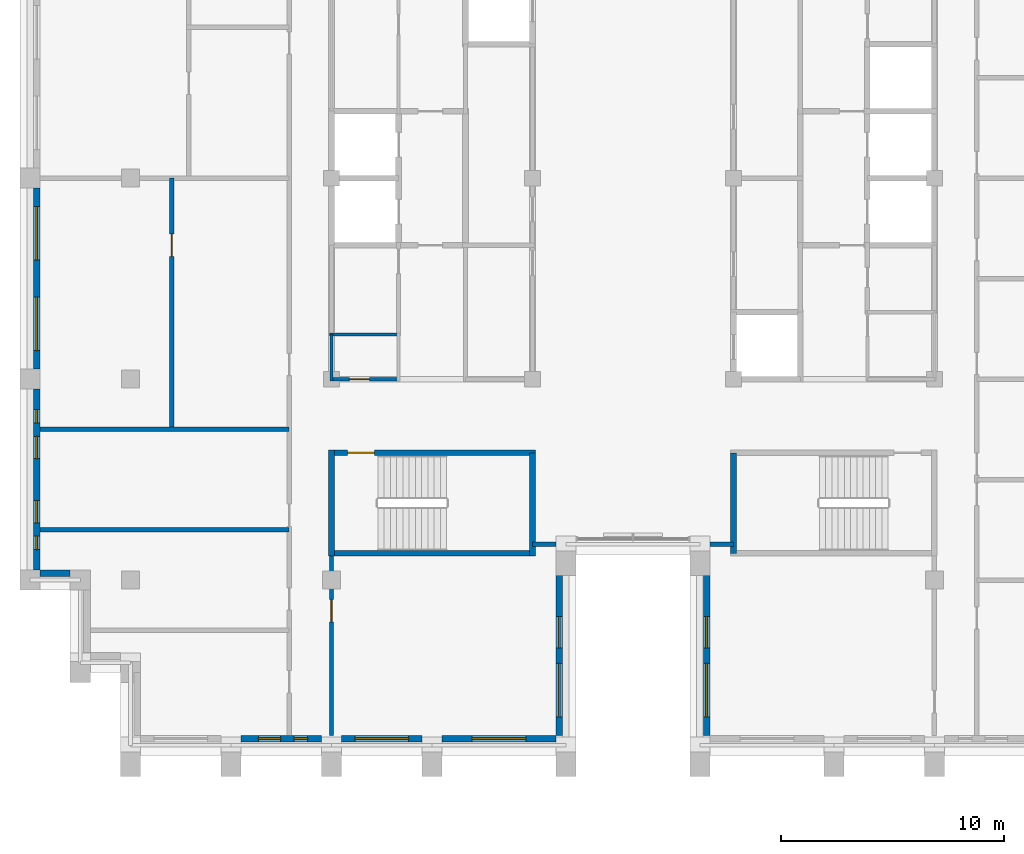
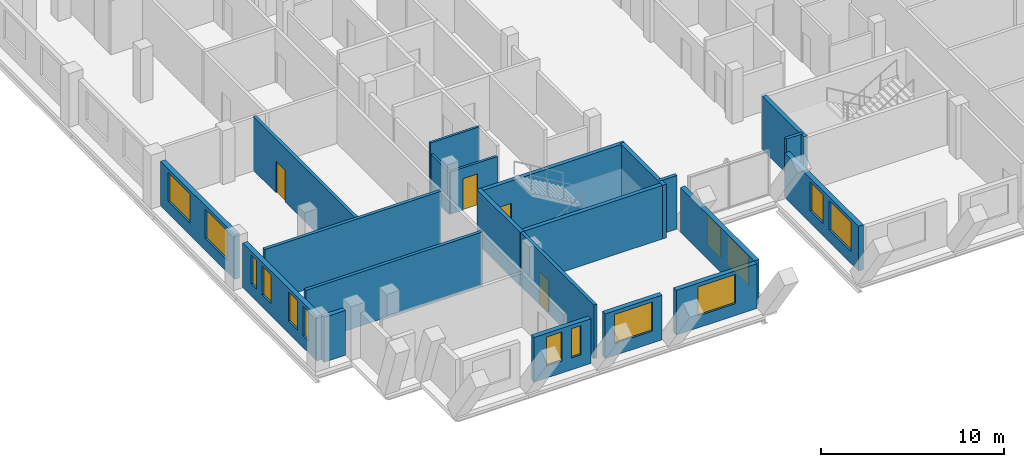
# One storey, part 6 of 13: 22 walls, 14 windows, 4 doors, 18 openings.
"""IFC4 building model written with IfcOpenShell, lengths in metres."""

from ifc_helpers import new_model, si_unit, direction, frame, frame_2d, origin, place, context, subcontext, project, spatial, rectangle, extrude, material, layer, layer_set, type_object, element, fill, save


model = new_model("IFC4")

# Units and contexts
model_context = context("Model", 3, precision=1e-05, world=origin(), true_north=direction((0.0, 1.0)))
body_context = subcontext(model_context, "Body", "Model", "MODEL_VIEW")
ifc_project = project(units=[si_unit("LENGTHUNIT", "METRE"), si_unit("AREAUNIT", "SQUARE_METRE"), si_unit("VOLUMEUNIT", "CUBIC_METRE"), si_unit("PLANEANGLEUNIT", "RADIAN"), si_unit("MASSUNIT", "GRAM", prefix="KILO")], contexts=[model_context])

# Site, building, storey
site_placement = place(None, origin())
site = spatial("IfcSite", under=ifc_project, at=site_placement, CompositionType="ELEMENT")
building_placement = place(site_placement, origin())
building = spatial("IfcBuilding", under=site, at=building_placement, Name="Corbelhall Arena Tower", CompositionType="ELEMENT")
storey_placement = place(building_placement, frame((0.0, 0.0, 346.0)))
storey = spatial("IfcBuildingStorey", under=building, at=storey_placement, Name="L76", CompositionType="ELEMENT", Elevation=346.0)

# Wall, openings, windows
ifc_material_1 = material(Name="Precast concrete C40/50 with granite facing", Category="masonry")
ifc_layer_1 = layer(ifc_material_1, 0.300048828125)
ifc_layer_set_1 = layer_set([ifc_layer_1], Name="EV-IW1 Infill panel 300")
wall_type_1 = type_object("IfcWallType", Name="EV-IW1 Infill panel 300", PredefinedType="SOLIDWALL", material=ifc_layer_set_1)
wall_1_placement = place(storey_placement, frame((-26.699951171875, -0.449951171875, 0.0), z_axis=(0.0, 0.0, 1.0), x_axis=(0.0, -1.0, 0.0)))
wall_1 = element("IfcWall", 1, at=wall_1_placement, inside=storey, type_object=wall_type_1, Name="Infill panel IW1", PredefinedType="SOLIDWALL", context=body_context, shape_type="SweptSolid", body=[
    extrude(rectangle(XDim=8.10009765625, YDim=0.300048828125, at=frame_2d((4.050048828125, 0.0))), origin(), (0.0, 0.0, 1.0), 2.989990234375),
])
opening_1_placement = place(wall_1_placement, frame((0.824951171875, 0.0, 0.800048828125)))
opening_1 = element("IfcOpeningElement", 2, at=opening_1_placement, cuts=wall_1, Name="Opening WN1", PredefinedType="OPENING", context=body_context, shape_type="SweptSolid", body=[
    extrude(rectangle(XDim=2.39990234375, YDim=1.949951171875, at=frame_2d((1.199951171875, 0.97509765625))), frame((0.0, 0.14990234375, 0.0), z_axis=(0.0, -1.0, 0.0), x_axis=(1.0, 0.0, 0.0)), (0.0, 0.0, 1.0), 0.300048828125),
])
opening_2_placement = place(wall_1_placement, frame((4.875, 0.0, 0.800048828125)))
opening_2 = element("IfcOpeningElement", 3, at=opening_2_placement, cuts=wall_1, Name="Opening WN1", PredefinedType="OPENING", context=body_context, shape_type="SweptSolid", body=[
    extrude(rectangle(XDim=2.39990234375, YDim=1.949951171875, at=frame_2d((1.199951171875, 0.97509765625))), frame((0.0, 0.14990234375, 0.0), z_axis=(0.0, -1.0, 0.0), x_axis=(1.0, 0.0, 0.0)), (0.0, 0.0, 1.0), 0.300048828125),
])
ifc_material_2 = material(Name="Aluminium black anodised", Category="aluminium")
window_type_1 = type_object("IfcWindowType", Name="EV-WN1 Office window", PartitioningType="SINGLE_PANEL", PredefinedType="WINDOW", material=ifc_material_2)
window_1_placement = place(opening_1_placement, origin())
window_1 = element("IfcWindow", 4, at=window_1_placement, inside=storey, type_object=window_type_1, Name="Window WN1", OverallHeight=1.949951171875, OverallWidth=2.39990234375, PartitioningType="SINGLE_PANEL", PredefinedType="WINDOW", context=body_context, shape_type="SweptSolid", body=[
    extrude(rectangle(XDim=2.39990234375, YDim=1.949951171875, at=frame_2d((1.199951171875, 0.97509765625))), frame((0.0, 0.030029296875, 0.0), z_axis=(0.0, -1.0, 0.0), x_axis=(1.0, 0.0, 0.0)), (0.0, 0.0, 1.0), 0.06005859375),
])
fill(opening_1, window_1)
window_2_placement = place(opening_2_placement, origin())
window_2 = element("IfcWindow", 5, at=window_2_placement, inside=storey, type_object=window_type_1, Name="Window WN1", OverallHeight=1.949951171875, OverallWidth=2.39990234375, PartitioningType="SINGLE_PANEL", PredefinedType="WINDOW", context=body_context, shape_type="SweptSolid", body=[
    extrude(rectangle(XDim=2.39990234375, YDim=1.949951171875, at=frame_2d((1.199951171875, 0.97509765625))), frame((0.0, 0.030029296875, 0.0), z_axis=(0.0, -1.0, 0.0), x_axis=(1.0, 0.0, 0.0)), (0.0, 0.0, 1.0), 0.06005859375),
])
fill(opening_2, window_2)

wall_2_placement = place(storey_placement, frame((-26.699951171875, -9.449951171875, 0.0), z_axis=(0.0, 0.0, 1.0), x_axis=(0.0, -1.0, 0.0)))
wall_2 = element("IfcWall", 6, at=wall_2_placement, inside=storey, type_object=wall_type_1, Name="Infill panel IW1", PredefinedType="SOLIDWALL", context=body_context, shape_type="SweptSolid", body=[
    extrude(rectangle(XDim=8.10009765625, YDim=0.300048828125, at=frame_2d((4.050048828125, 0.0))), origin(), (0.0, 0.0, 1.0), 2.989990234375),
])
opening_3_placement = place(wall_2_placement, frame((0.91259765625, 0.0, 0.800048828125)))
opening_3 = element("IfcOpeningElement", 7, at=opening_3_placement, cuts=wall_2, Name="Opening WN5", PredefinedType="OPENING", context=body_context, shape_type="SweptSolid", body=[
    extrude(rectangle(XDim=0.60009765625, YDim=1.949951171875, at=frame_2d((0.300048828125, 0.97509765625))), frame((0.0, 0.14990234375, 0.0), z_axis=(0.0, -1.0, 0.0), x_axis=(1.0, 0.0, 0.0)), (0.0, 0.0, 1.0), 0.300048828125),
])
opening_4_placement = place(wall_2_placement, frame((2.112548828125, 0.0, 0.800048828125)))
opening_4 = element("IfcOpeningElement", 8, at=opening_4_placement, cuts=wall_2, Name="Opening WN6", PredefinedType="OPENING", context=body_context, shape_type="SweptSolid", body=[
    extrude(rectangle(XDim=1.0, YDim=1.949951171875, at=frame_2d((0.5, 0.97509765625))), frame((0.0, 0.14990234375, 0.0), z_axis=(0.0, -1.0, 0.0), x_axis=(1.0, 0.0, 0.0)), (0.0, 0.0, 1.0), 0.300048828125),
])
opening_5_placement = place(wall_2_placement, frame((4.987548828125, 0.0, 0.800048828125)))
opening_5 = element("IfcOpeningElement", 9, at=opening_5_placement, cuts=wall_2, Name="Opening WN6", PredefinedType="OPENING", context=body_context, shape_type="SweptSolid", body=[
    extrude(rectangle(XDim=1.0, YDim=1.949951171875, at=frame_2d((0.5, 0.97509765625))), frame((0.0, 0.14990234375, 0.0), z_axis=(0.0, -1.0, 0.0), x_axis=(1.0, 0.0, 0.0)), (0.0, 0.0, 1.0), 0.300048828125),
])
opening_6_placement = place(wall_2_placement, frame((6.58740234375, 0.0, 0.800048828125)))
opening_6 = element("IfcOpeningElement", 10, at=opening_6_placement, cuts=wall_2, Name="Opening WN5", PredefinedType="OPENING", context=body_context, shape_type="SweptSolid", body=[
    extrude(rectangle(XDim=0.60009765625, YDim=1.949951171875, at=frame_2d((0.300048828125, 0.97509765625))), frame((0.0, 0.14990234375, 0.0), z_axis=(0.0, -1.0, 0.0), x_axis=(1.0, 0.0, 0.0)), (0.0, 0.0, 1.0), 0.300048828125),
])
window_type_2 = type_object("IfcWindowType", Name="EV-WN5 Office window 600", PartitioningType="SINGLE_PANEL", PredefinedType="WINDOW", material=ifc_material_2)
window_3_placement = place(opening_3_placement, origin())
window_3 = element("IfcWindow", 11, at=window_3_placement, inside=storey, type_object=window_type_2, Name="Window WN5", OverallHeight=1.949951171875, OverallWidth=0.60009765625, PartitioningType="SINGLE_PANEL", PredefinedType="WINDOW", context=body_context, shape_type="SweptSolid", body=[
    extrude(rectangle(XDim=0.60009765625, YDim=1.949951171875, at=frame_2d((0.300048828125, 0.97509765625))), frame((0.0, 0.030029296875, 0.0), z_axis=(0.0, -1.0, 0.0), x_axis=(1.0, 0.0, 0.0)), (0.0, 0.0, 1.0), 0.06005859375),
])
fill(opening_3, window_3)
window_4_placement = place(opening_6_placement, origin())
window_4 = element("IfcWindow", 12, at=window_4_placement, inside=storey, type_object=window_type_2, Name="Window WN5", OverallHeight=1.949951171875, OverallWidth=0.60009765625, PartitioningType="SINGLE_PANEL", PredefinedType="WINDOW", context=body_context, shape_type="SweptSolid", body=[
    extrude(rectangle(XDim=0.60009765625, YDim=1.949951171875, at=frame_2d((0.300048828125, 0.97509765625))), frame((0.0, 0.030029296875, 0.0), z_axis=(0.0, -1.0, 0.0), x_axis=(1.0, 0.0, 0.0)), (0.0, 0.0, 1.0), 0.06005859375),
])
fill(opening_6, window_4)
window_type_3 = type_object("IfcWindowType", Name="EV-WN6 Office window 1000", PartitioningType="SINGLE_PANEL", PredefinedType="WINDOW", material=ifc_material_2)
window_5_placement = place(opening_4_placement, origin())
window_5 = element("IfcWindow", 13, at=window_5_placement, inside=storey, type_object=window_type_3, Name="Window WN6", OverallHeight=1.949951171875, OverallWidth=1.0, PartitioningType="SINGLE_PANEL", PredefinedType="WINDOW", context=body_context, shape_type="SweptSolid", body=[
    extrude(rectangle(XDim=1.0, YDim=1.949951171875, at=frame_2d((0.5, 0.97509765625))), frame((0.0, 0.030029296875, 0.0), z_axis=(0.0, -1.0, 0.0), x_axis=(1.0, 0.0, 0.0)), (0.0, 0.0, 1.0), 0.06005859375),
])
fill(opening_4, window_5)
window_6_placement = place(opening_5_placement, origin())
window_6 = element("IfcWindow", 14, at=window_6_placement, inside=storey, type_object=window_type_3, Name="Window WN6", OverallHeight=1.949951171875, OverallWidth=1.0, PartitioningType="SINGLE_PANEL", PredefinedType="WINDOW", context=body_context, shape_type="SweptSolid", body=[
    extrude(rectangle(XDim=1.0, YDim=1.949951171875, at=frame_2d((0.5, 0.97509765625))), frame((0.0, 0.030029296875, 0.0), z_axis=(0.0, -1.0, 0.0), x_axis=(1.0, 0.0, 0.0)), (0.0, 0.0, 1.0), 0.06005859375),
])
fill(opening_5, window_6)

# Wall
wall_3_placement = place(storey_placement, frame((-26.550048828125, -17.699951171875, 0.0), z_axis=(0.0, 0.0, 1.0), x_axis=(1.0, 0.0, 0.0)))
element("IfcWall", 15, at=wall_3_placement, inside=storey, type_object=wall_type_1, Name="Infill panel IW1", PredefinedType="SOLIDWALL", context=body_context, shape_type="SweptSolid", body=[
    extrude(rectangle(XDim=1.35009765625, YDim=0.300048828125, at=frame_2d((0.675048828125, 0.0))), origin(), (0.0, 0.0, 1.0), 2.989990234375),
])

# Wall, openings, windows
wall_4_placement = place(storey_placement, frame((-17.550048828125, -25.10009765625, 0.0), z_axis=(0.0, 0.0, 1.0), x_axis=(1.0, 0.0, 0.0)))
wall_4 = element("IfcWall", 16, at=wall_4_placement, inside=storey, type_object=wall_type_1, Name="Infill panel IW1", PredefinedType="SOLIDWALL", context=body_context, shape_type="SweptSolid", body=[
    extrude(rectangle(XDim=3.60009765625, YDim=0.300048828125, at=frame_2d((1.800048828125, 0.0))), origin(), (0.0, 0.0, 1.0), 2.989990234375),
])
opening_7_placement = place(wall_4_placement, frame((0.77490234375, 0.0, 0.800048828125)))
opening_7 = element("IfcOpeningElement", 17, at=opening_7_placement, cuts=wall_4, Name="Opening WN6", PredefinedType="OPENING", context=body_context, shape_type="SweptSolid", body=[
    extrude(rectangle(XDim=1.0, YDim=1.949951171875, at=frame_2d((0.5, 0.97509765625))), frame((0.0, 0.14990234375, 0.0), z_axis=(0.0, -1.0, 0.0), x_axis=(1.0, 0.0, 0.0)), (0.0, 0.0, 1.0), 0.300048828125),
])
opening_8_placement = place(wall_4_placement, frame((2.375, 0.0, 0.800048828125)))
opening_8 = element("IfcOpeningElement", 18, at=opening_8_placement, cuts=wall_4, Name="Opening WN5", PredefinedType="OPENING", context=body_context, shape_type="SweptSolid", body=[
    extrude(rectangle(XDim=0.60009765625, YDim=1.949951171875, at=frame_2d((0.300048828125, 0.97509765625))), frame((0.0, 0.14990234375, 0.0), z_axis=(0.0, -1.0, 0.0), x_axis=(1.0, 0.0, 0.0)), (0.0, 0.0, 1.0), 0.300048828125),
])
window_7_placement = place(opening_8_placement, origin())
window_7 = element("IfcWindow", 19, at=window_7_placement, inside=storey, type_object=window_type_2, Name="Window WN5", OverallHeight=1.949951171875, OverallWidth=0.60009765625, PartitioningType="SINGLE_PANEL", PredefinedType="WINDOW", context=body_context, shape_type="SweptSolid", body=[
    extrude(rectangle(XDim=0.60009765625, YDim=1.949951171875, at=frame_2d((0.300048828125, 0.97509765625))), frame((0.0, 0.030029296875, 0.0), z_axis=(0.0, -1.0, 0.0), x_axis=(1.0, 0.0, 0.0)), (0.0, 0.0, 1.0), 0.06005859375),
])
fill(opening_8, window_7)
window_8_placement = place(opening_7_placement, origin())
window_8 = element("IfcWindow", 20, at=window_8_placement, inside=storey, type_object=window_type_3, Name="Window WN6", OverallHeight=1.949951171875, OverallWidth=1.0, PartitioningType="SINGLE_PANEL", PredefinedType="WINDOW", context=body_context, shape_type="SweptSolid", body=[
    extrude(rectangle(XDim=1.0, YDim=1.949951171875, at=frame_2d((0.5, 0.97509765625))), frame((0.0, 0.030029296875, 0.0), z_axis=(0.0, -1.0, 0.0), x_axis=(1.0, 0.0, 0.0)), (0.0, 0.0, 1.0), 0.06005859375),
])
fill(opening_7, window_8)

# Wall, opening, window
wall_5_placement = place(storey_placement, frame((-13.050048828125, -25.10009765625, 0.0), z_axis=(0.0, 0.0, 1.0), x_axis=(1.0, 0.0, 0.0)))
wall_5 = element("IfcWall", 21, at=wall_5_placement, inside=storey, type_object=wall_type_1, Name="Infill panel IW1", PredefinedType="SOLIDWALL", context=body_context, shape_type="SweptSolid", body=[
    extrude(rectangle(XDim=3.60009765625, YDim=0.300048828125, at=frame_2d((1.800048828125, 0.0))), origin(), (0.0, 0.0, 1.0), 2.989990234375),
])
opening_9_placement = place(wall_5_placement, frame((0.60009765625, 0.0, 0.800048828125)))
opening_9 = element("IfcOpeningElement", 22, at=opening_9_placement, cuts=wall_5, Name="Opening WN1", PredefinedType="OPENING", context=body_context, shape_type="SweptSolid", body=[
    extrude(rectangle(XDim=2.39990234375, YDim=1.949951171875, at=frame_2d((1.199951171875, 0.97509765625))), frame((0.0, 0.14990234375, 0.0), z_axis=(0.0, -1.0, 0.0), x_axis=(1.0, 0.0, 0.0)), (0.0, 0.0, 1.0), 0.300048828125),
])
window_9_placement = place(opening_9_placement, origin())
window_9 = element("IfcWindow", 23, at=window_9_placement, inside=storey, type_object=window_type_1, Name="Window WN1", OverallHeight=1.949951171875, OverallWidth=2.39990234375, PartitioningType="SINGLE_PANEL", PredefinedType="WINDOW", context=body_context, shape_type="SweptSolid", body=[
    extrude(rectangle(XDim=2.39990234375, YDim=1.949951171875, at=frame_2d((1.199951171875, 0.97509765625))), frame((0.0, 0.030029296875, 0.0), z_axis=(0.0, -1.0, 0.0), x_axis=(1.0, 0.0, 0.0)), (0.0, 0.0, 1.0), 0.06005859375),
])
fill(opening_9, window_9)

wall_6_placement = place(storey_placement, frame((-8.550048828125, -25.10009765625, 0.0), z_axis=(0.0, 0.0, 1.0), x_axis=(1.0, 0.0, 0.0)))
wall_6 = element("IfcWall", 24, at=wall_6_placement, inside=storey, type_object=wall_type_1, Name="Infill panel IW1", PredefinedType="SOLIDWALL", context=body_context, shape_type="SweptSolid", body=[
    extrude(rectangle(XDim=5.10009765625, YDim=0.300048828125, at=frame_2d((2.550048828125, 0.0))), origin(), (0.0, 0.0, 1.0), 2.989990234375),
])
opening_10_placement = place(wall_6_placement, frame((1.35009765625, 0.0, 0.800048828125)))
opening_10 = element("IfcOpeningElement", 25, at=opening_10_placement, cuts=wall_6, Name="Opening WN1", PredefinedType="OPENING", context=body_context, shape_type="SweptSolid", body=[
    extrude(rectangle(XDim=2.39990234375, YDim=1.949951171875, at=frame_2d((1.199951171875, 0.97509765625))), frame((0.0, 0.14990234375, 0.0), z_axis=(0.0, -1.0, 0.0), x_axis=(1.0, 0.0, 0.0)), (0.0, 0.0, 1.0), 0.300048828125),
])
window_10_placement = place(opening_10_placement, origin())
window_10 = element("IfcWindow", 26, at=window_10_placement, inside=storey, type_object=window_type_1, Name="Window WN1", OverallHeight=1.949951171875, OverallWidth=2.39990234375, PartitioningType="SINGLE_PANEL", PredefinedType="WINDOW", context=body_context, shape_type="SweptSolid", body=[
    extrude(rectangle(XDim=2.39990234375, YDim=1.949951171875, at=frame_2d((1.199951171875, 0.97509765625))), frame((0.0, 0.030029296875, 0.0), z_axis=(0.0, -1.0, 0.0), x_axis=(1.0, 0.0, 0.0)), (0.0, 0.0, 1.0), 0.06005859375),
])
fill(opening_10, window_10)

# Wall, openings, windows
wall_7_placement = place(storey_placement, frame((-3.300048828125, -24.949951171875, 0.0), z_axis=(0.0, 0.0, 1.0), x_axis=(0.0, 1.0, 0.0)))
wall_7 = element("IfcWall", 27, at=wall_7_placement, inside=storey, type_object=wall_type_1, Name="Infill panel IW1", PredefinedType="SOLIDWALL", context=body_context, shape_type="SweptSolid", body=[
    extrude(rectangle(XDim=8.099853515625, YDim=0.300048828125, at=frame_2d((4.0498046875, 0.0))), origin(), (0.0, 0.0, 1.0), 2.989990234375),
])
opening_11_placement = place(wall_7_placement, frame((0.824951171875, 0.0, 0.800048828125)))
opening_11 = element("IfcOpeningElement", 28, at=opening_11_placement, cuts=wall_7, Name="Opening WN1", PredefinedType="OPENING", context=body_context, shape_type="SweptSolid", body=[
    extrude(rectangle(XDim=2.39990234375, YDim=1.949951171875, at=frame_2d((1.199951171875, 0.97509765625))), frame((0.0, 0.14990234375, 0.0), z_axis=(0.0, -1.0, 0.0), x_axis=(1.0, 0.0, 0.0)), (0.0, 0.0, 1.0), 0.300048828125),
])
opening_12_placement = place(wall_7_placement, frame((3.91259765625, 0.0, 0.800048828125)))
opening_12 = element("IfcOpeningElement", 29, at=opening_12_placement, cuts=wall_7, Name="Opening WN7", PredefinedType="OPENING", context=body_context, shape_type="SweptSolid", body=[
    extrude(rectangle(XDim=1.39990234375, YDim=1.949951171875, at=frame_2d((0.699951171875, 0.97509765625))), frame((0.0, 0.14990234375, 0.0), z_axis=(0.0, -1.0, 0.0), x_axis=(1.0, 0.0, 0.0)), (0.0, 0.0, 1.0), 0.300048828125),
])
window_11_placement = place(opening_11_placement, origin())
window_11 = element("IfcWindow", 30, at=window_11_placement, inside=storey, type_object=window_type_1, Name="Window WN1", OverallHeight=1.949951171875, OverallWidth=2.39990234375, PartitioningType="SINGLE_PANEL", PredefinedType="WINDOW", context=body_context, shape_type="SweptSolid", body=[
    extrude(rectangle(XDim=2.39990234375, YDim=1.949951171875, at=frame_2d((1.199951171875, 0.97509765625))), frame((0.0, 0.030029296875, 0.0), z_axis=(0.0, -1.0, 0.0), x_axis=(1.0, 0.0, 0.0)), (0.0, 0.0, 1.0), 0.06005859375),
])
fill(opening_11, window_11)
window_type_4 = type_object("IfcWindowType", Name="EV-WN7 Office window 1400", PartitioningType="SINGLE_PANEL", PredefinedType="WINDOW", material=ifc_material_2)
window_12_placement = place(opening_12_placement, origin())
window_12 = element("IfcWindow", 31, at=window_12_placement, inside=storey, type_object=window_type_4, Name="Window WN7", OverallHeight=1.949951171875, OverallWidth=1.39990234375, PartitioningType="SINGLE_PANEL", PredefinedType="WINDOW", context=body_context, shape_type="SweptSolid", body=[
    extrude(rectangle(XDim=1.39990234375, YDim=1.949951171875, at=frame_2d((0.699951171875, 0.97509765625))), frame((0.0, 0.030029296875, 0.0), z_axis=(0.0, -1.0, 0.0), x_axis=(1.0, 0.0, 0.0)), (0.0, 0.0, 1.0), 0.06005859375),
])
fill(opening_12, window_12)

wall_8_placement = place(storey_placement, frame((3.300048828125, -16.85009765625, 0.0), z_axis=(0.0, 0.0, 1.0), x_axis=(0.0, -1.0, 0.0)))
wall_8 = element("IfcWall", 32, at=wall_8_placement, inside=storey, type_object=wall_type_1, Name="Infill panel IW1", PredefinedType="SOLIDWALL", context=body_context, shape_type="SweptSolid", body=[
    extrude(rectangle(XDim=8.099853515625, YDim=0.300048828125, at=frame_2d((4.0498046875, 0.0))), origin(), (0.0, 0.0, 1.0), 2.989990234375),
])
opening_13_placement = place(wall_8_placement, frame((4.875, 0.0, 0.800048828125)))
opening_13 = element("IfcOpeningElement", 33, at=opening_13_placement, cuts=wall_8, Name="Opening WN1", PredefinedType="OPENING", context=body_context, shape_type="SweptSolid", body=[
    extrude(rectangle(XDim=2.39990234375, YDim=1.949951171875, at=frame_2d((1.199951171875, 0.97509765625))), frame((0.0, 0.14990234375, 0.0), z_axis=(0.0, -1.0, 0.0), x_axis=(1.0, 0.0, 0.0)), (0.0, 0.0, 1.0), 0.300048828125),
])
opening_14_placement = place(wall_8_placement, frame((2.78759765625, 0.0, 0.800048828125)))
opening_14 = element("IfcOpeningElement", 34, at=opening_14_placement, cuts=wall_8, Name="Opening WN7", PredefinedType="OPENING", context=body_context, shape_type="SweptSolid", body=[
    extrude(rectangle(XDim=1.39990234375, YDim=1.949951171875, at=frame_2d((0.699951171875, 0.97509765625))), frame((0.0, 0.14990234375, 0.0), z_axis=(0.0, -1.0, 0.0), x_axis=(1.0, 0.0, 0.0)), (0.0, 0.0, 1.0), 0.300048828125),
])
window_13_placement = place(opening_13_placement, origin())
window_13 = element("IfcWindow", 35, at=window_13_placement, inside=storey, type_object=window_type_1, Name="Window WN1", OverallHeight=1.949951171875, OverallWidth=2.39990234375, PartitioningType="SINGLE_PANEL", PredefinedType="WINDOW", context=body_context, shape_type="SweptSolid", body=[
    extrude(rectangle(XDim=2.39990234375, YDim=1.949951171875, at=frame_2d((1.199951171875, 0.97509765625))), frame((0.0, 0.030029296875, 0.0), z_axis=(0.0, -1.0, 0.0), x_axis=(1.0, 0.0, 0.0)), (0.0, 0.0, 1.0), 0.06005859375),
])
fill(opening_13, window_13)
window_14_placement = place(opening_14_placement, origin())
window_14 = element("IfcWindow", 36, at=window_14_placement, inside=storey, type_object=window_type_4, Name="Window WN7", OverallHeight=1.949951171875, OverallWidth=1.39990234375, PartitioningType="SINGLE_PANEL", PredefinedType="WINDOW", context=body_context, shape_type="SweptSolid", body=[
    extrude(rectangle(XDim=1.39990234375, YDim=1.949951171875, at=frame_2d((0.699951171875, 0.97509765625))), frame((0.0, 0.030029296875, 0.0), z_axis=(0.0, -1.0, 0.0), x_axis=(1.0, 0.0, 0.0)), (0.0, 0.0, 1.0), 0.06005859375),
])
fill(opening_14, window_14)

# Walls
ifc_material_3 = material(Name="Gypsum board on steel stud, acoustic", Category="steel")
ifc_layer_2 = layer(ifc_material_3, 0.199951171875)
ifc_layer_set_2 = layer_set([ifc_layer_2], Name="IN-W-DM200")
wall_type_2 = type_object("IfcWallType", Name="IN-W-DM200", PredefinedType="PARTITIONING", material=ifc_layer_set_2)
for number, where, z_axis, x_axis, name in (
    (37, (-26.550048828125, -15.75, 0.0), (0.0, 0.0, 1.0), (1.0, 0.0, 0.0), "Partition 001"),
    (38, (-26.550048828125, -11.25, 0.0), (0.0, 0.0, 1.0), (1.0, 0.0, 0.0), "Partition 002"),
):
    element("IfcWall", number, at=place(storey_placement, frame(where, z_axis=z_axis, x_axis=x_axis)), inside=storey, type_object=wall_type_2, Name=name, PredefinedType="PARTITIONING", context=body_context, shape_type="SweptSolid", body=[
        extrude(rectangle(XDim=11.150146484375, YDim=0.199951171875, at=frame_2d((5.5751953125, 0.0))), origin(), (0.0, 0.0, 1.0), 3.590087890625),
    ])

# Wall, opening, door
wall_9_placement = place(storey_placement, frame((-20.64990234375, -11.25, 0.0), z_axis=(0.0, 0.0, 1.0), x_axis=(0.0, 1.0, 0.0)))
wall_9 = element("IfcWall", 39, at=wall_9_placement, inside=storey, type_object=wall_type_2, Name="Partition 006", PredefinedType="PARTITIONING", context=body_context, shape_type="SweptSolid", body=[
    extrude(rectangle(XDim=11.25, YDim=0.199951171875, at=frame_2d((5.625, 0.0))), origin(), (0.0, 0.0, 1.0), 3.590087890625),
])
opening_15_placement = place(wall_9_placement, frame((7.75, 0.0, 0.0)))
opening_15 = element("IfcOpeningElement", 40, at=opening_15_placement, cuts=wall_9, Name="Opening 24029", PredefinedType="OPENING", context=body_context, shape_type="SweptSolid", body=[
    extrude(rectangle(XDim=1.0, YDim=2.10009765625, at=frame_2d((0.5, 1.050048828125))), frame((0.0, 0.10009765625, 0.0), z_axis=(0.0, -1.0, 0.0), x_axis=(1.0, 0.0, 0.0)), (0.0, 0.0, 1.0), 0.199951171875),
])
ifc_material_4 = material(Name="Steel door set", Category="steel")
door_type_1 = type_object("IfcDoorType", Name="IN-D-SW100", OperationType="NOTDEFINED", PredefinedType="DOOR", material=ifc_material_4)
door_1_placement = place(opening_15_placement, origin())
door_1 = element("IfcDoor", 41, at=door_1_placement, inside=storey, type_object=door_type_1, Name="Door 029", OperationType="SINGLE_SWING_RIGHT", OverallHeight=2.10009765625, OverallWidth=1.0, PredefinedType="DOOR", context=body_context, shape_type="SweptSolid", body=[
    extrude(rectangle(XDim=1.0, YDim=2.10009765625, at=frame_2d((0.5, 1.050048828125))), frame((0.0, 0.02490234375, 0.0), z_axis=(0.0, -1.0, 0.0), x_axis=(1.0, 0.0, 0.0)), (0.0, 0.0, 1.0), 0.050048828125),
])
fill(opening_15, door_1)

wall_10_placement = place(storey_placement, frame((-13.5, -16.675048828125, 0.0), z_axis=(0.0, 0.0, 1.0), x_axis=(0.0, -1.0, 0.0)))
wall_10 = element("IfcWall", 42, at=wall_10_placement, inside=storey, type_object=wall_type_2, Name="Partition 013", PredefinedType="PARTITIONING", context=body_context, shape_type="SweptSolid", body=[
    extrude(rectangle(XDim=8.27490234375, YDim=0.199951171875, at=frame_2d((4.137451171875, 0.0))), origin(), (0.0, 0.0, 1.0), 3.590087890625),
])
opening_16_placement = place(wall_10_placement, frame((2.199951171875, 0.0, 0.0)))
opening_16 = element("IfcOpeningElement", 43, at=opening_16_placement, cuts=wall_10, Name="Opening 24020", PredefinedType="OPENING", context=body_context, shape_type="SweptSolid", body=[
    extrude(rectangle(XDim=1.0, YDim=2.10009765625, at=frame_2d((0.5, 1.050048828125))), frame((0.0, 0.10009765625, 0.0), z_axis=(0.0, -1.0, 0.0), x_axis=(1.0, 0.0, 0.0)), (0.0, 0.0, 1.0), 0.199951171875),
])
door_2_placement = place(opening_16_placement, origin())
door_2 = element("IfcDoor", 44, at=door_2_placement, inside=storey, type_object=door_type_1, Name="Door 020", OperationType="SINGLE_SWING_LEFT", OverallHeight=2.10009765625, OverallWidth=1.0, PredefinedType="DOOR", context=body_context, shape_type="SweptSolid", body=[
    extrude(rectangle(XDim=1.0, YDim=2.10009765625, at=frame_2d((0.5, 1.050048828125))), frame((0.0, 0.02490234375, 0.0), z_axis=(0.0, -1.0, 0.0), x_axis=(1.0, 0.0, 0.0)), (0.0, 0.0, 1.0), 0.050048828125),
])
fill(opening_16, door_2)

# Walls
for number, where, z_axis, x_axis, name in (
    (45, (-3.449951171875, -16.39990234375, 0.0), (0.0, 0.0, 1.0), (-1.0, 0.0, 0.0), "Partition 017"),
    (46, (4.5, -16.39990234375, 0.0), (0.0, 0.0, 1.0), (-1.0, 0.0, 0.0), "Partition 019"),
):
    element("IfcWall", number, at=place(storey_placement, frame(where, z_axis=z_axis, x_axis=x_axis)), inside=storey, type_object=wall_type_2, Name=name, PredefinedType="PARTITIONING", context=body_context, shape_type="SweptSolid", body=[
        extrude(rectangle(XDim=1.050048828125, YDim=0.199951171875, at=frame_2d((0.52490234375, 0.0))), origin(), (0.0, 0.0, 1.0), 3.590087890625),
    ])
ifc_material_5 = material(Name="Concrete C40/50", Category="concrete")
ifc_layer_3 = layer(ifc_material_5, 0.25)
ifc_layer_set_3 = layer_set([ifc_layer_3], Name="IN-W-ST250")
wall_type_3 = type_object("IfcWallType", Name="IN-W-ST250", PredefinedType="SOLIDWALL", material=ifc_layer_set_3)
wall_11_placement = place(storey_placement, frame((-13.5, -12.175048828125, 0.0), z_axis=(0.0, 0.0, 1.0), x_axis=(0.0, -1.0, 0.0)))
element("IfcWall", 47, at=wall_11_placement, inside=storey, type_object=wall_type_3, Name="Shaft wall 069", PredefinedType="SOLIDWALL", context=body_context, shape_type="SweptSolid", body=[
    extrude(rectangle(XDim=4.75, YDim=0.25, at=frame_2d((2.375, 0.0))), origin(), (0.0, 0.0, 1.0), 3.590087890625),
])
wall_12_placement = place(storey_placement, frame((-4.5, -16.800048828125, 0.0), z_axis=(0.0, 0.0, 1.0), x_axis=(-1.0, 0.0, 0.0)))
element("IfcWall", 48, at=wall_12_placement, inside=storey, type_object=wall_type_3, Name="Shaft wall 073", PredefinedType="SOLIDWALL", context=body_context, shape_type="SweptSolid", body=[
    extrude(rectangle(XDim=9.0, YDim=0.25, at=frame_2d((4.5, 0.0))), origin(), (0.0, 0.0, 1.0), 3.590087890625),
])
wall_13_placement = place(storey_placement, frame((-4.5, -12.300048828125, 0.0), z_axis=(0.0, 0.0, 1.0), x_axis=(0.0, -1.0, 0.0)))
element("IfcWall", 49, at=wall_13_placement, inside=storey, type_object=wall_type_3, Name="Shaft wall 074", PredefinedType="SOLIDWALL", context=body_context, shape_type="SweptSolid", body=[
    extrude(rectangle(XDim=4.625, YDim=0.25, at=frame_2d((2.3125, 0.0))), origin(), (0.0, 0.0, 1.0), 3.590087890625),
])

# Wall, opening, door
wall_14_placement = place(storey_placement, frame((-4.375, -12.300048828125, 0.0), z_axis=(0.0, 0.0, 1.0), x_axis=(-1.0, 0.0, 0.0)))
wall_14 = element("IfcWall", 50, at=wall_14_placement, inside=storey, type_object=wall_type_3, Name="Shaft wall 076", PredefinedType="SOLIDWALL", context=body_context, shape_type="SweptSolid", body=[
    extrude(rectangle(XDim=9.125, YDim=0.25, at=frame_2d((4.5625, 0.0))), origin(), (0.0, 0.0, 1.0), 3.590087890625),
])
opening_17_placement = place(wall_14_placement, frame((7.199951171875, 0.0, 0.0)))
opening_17 = element("IfcOpeningElement", 51, at=opening_17_placement, cuts=wall_14, Name="Opening 24015", PredefinedType="OPENING", context=body_context, shape_type="SweptSolid", body=[
    extrude(rectangle(XDim=1.199951171875, YDim=2.10009765625, at=frame_2d((0.60009765625, 1.050048828125))), frame((0.0, 0.125, 0.0), z_axis=(0.0, -1.0, 0.0), x_axis=(1.0, 0.0, 0.0)), (0.0, 0.0, 1.0), 0.25),
])
door_type_2 = type_object("IfcDoorType", Name="IN-D-ST120", OperationType="NOTDEFINED", PredefinedType="DOOR", material=ifc_material_4)
door_3_placement = place(opening_17_placement, origin())
door_3 = element("IfcDoor", 52, at=door_3_placement, inside=storey, type_object=door_type_2, Name="Door 015", OperationType="SINGLE_SWING_RIGHT", OverallHeight=2.10009765625, OverallWidth=1.199951171875, PredefinedType="DOOR", context=body_context, shape_type="SweptSolid", body=[
    extrude(rectangle(XDim=1.199951171875, YDim=2.10009765625, at=frame_2d((0.60009765625, 1.050048828125))), frame((0.0, 0.02490234375, 0.0), z_axis=(0.0, -1.0, 0.0), x_axis=(1.0, 0.0, 0.0)), (0.0, 0.0, 1.0), 0.050048828125),
])
fill(opening_17, door_3)

# Walls
wall_15_placement = place(storey_placement, frame((4.5, -16.800048828125, 0.0), z_axis=(0.0, 0.0, 1.0), x_axis=(0.0, 1.0, 0.0)))
element("IfcWall", 53, at=wall_15_placement, inside=storey, type_object=wall_type_3, Name="Shaft wall 079", PredefinedType="SOLIDWALL", context=body_context, shape_type="SweptSolid", body=[
    extrude(rectangle(XDim=4.5, YDim=0.25, at=frame_2d((2.25, 0.0))), origin(), (0.0, 0.0, 1.0), 3.590087890625),
])
ifc_material_6 = material(Name="Gypsum board on steel stud, moisture resistant", Category="steel")
ifc_layer_4 = layer(ifc_material_6, 0.14990234375)
ifc_layer_set_4 = layer_set([ifc_layer_4], Name="IN-W-WC150")
wall_type_4 = type_object("IfcWallType", Name="IN-W-WC150", PredefinedType="PARTITIONING", material=ifc_layer_set_4)
wall_16_placement = place(storey_placement, frame((-13.60009765625, -7.0, 0.0), z_axis=(0.0, 0.0, 1.0), x_axis=(1.0, 0.0, 0.0)))
element("IfcWall", 54, at=wall_16_placement, inside=storey, type_object=wall_type_4, Name="Partition 085", PredefinedType="PARTITIONING", context=body_context, shape_type="SweptSolid", body=[
    extrude(rectangle(XDim=3.10009765625, YDim=0.14990234375, at=frame_2d((1.550048828125, 0.0))), origin(), (0.0, 0.0, 1.0), 3.590087890625),
])
ifc_layer_5 = layer(ifc_material_6, 0.14990234375)
ifc_layer_set_5 = layer_set([ifc_layer_5], Name="IN-W-WC150 under beam 762 mm")
wall_type_5 = type_object("IfcWallType", Name="IN-W-WC150 under beam 762 mm", PredefinedType="PARTITIONING", material=ifc_layer_set_5)
wall_17_placement = place(storey_placement, frame((-13.5, -9.074951171875, 0.0), z_axis=(0.0, 0.0, 1.0), x_axis=(0.0, 1.0, 0.0)))
element("IfcWall", 55, at=wall_17_placement, inside=storey, type_object=wall_type_5, Name="Partition 086", PredefinedType="PARTITIONING", context=body_context, shape_type="SweptSolid", body=[
    extrude(rectangle(XDim=2.074951171875, YDim=0.14990234375, at=frame_2d((1.03759765625, 0.0))), origin(), (0.0, 0.0, 1.0), 2.827880859375),
])

# Wall, opening, door
wall_18_placement = place(storey_placement, frame((-10.5, -9.0, 0.0), z_axis=(0.0, 0.0, 1.0), x_axis=(-1.0, 0.0, 0.0)))
wall_18 = element("IfcWall", 56, at=wall_18_placement, inside=storey, type_object=wall_type_5, Name="Partition 090", PredefinedType="PARTITIONING", context=body_context, shape_type="SweptSolid", body=[
    extrude(rectangle(XDim=3.0, YDim=0.14990234375, at=frame_2d((1.5, 0.0))), origin(), (0.0, 0.0, 1.0), 2.827880859375),
])
opening_18_placement = place(wall_18_placement, frame((1.300048828125, 0.0, 0.0)))
opening_18 = element("IfcOpeningElement", 57, at=opening_18_placement, cuts=wall_18, Name="Opening 24005", PredefinedType="OPENING", context=body_context, shape_type="SweptSolid", body=[
    extrude(rectangle(XDim=0.89990234375, YDim=2.10009765625, at=frame_2d((0.449951171875, 1.050048828125))), frame((0.0, 0.074951171875, 0.0), z_axis=(0.0, -1.0, 0.0), x_axis=(1.0, 0.0, 0.0)), (0.0, 0.0, 1.0), 0.14990234375),
])
ifc_material_7 = material(Name="Timber door set", Category="wood")
door_type_3 = type_object("IfcDoorType", Name="IN-D-SW90", OperationType="NOTDEFINED", PredefinedType="DOOR", material=ifc_material_7)
door_4_placement = place(opening_18_placement, origin())
door_4 = element("IfcDoor", 58, at=door_4_placement, inside=storey, type_object=door_type_3, Name="Door 005", OperationType="SINGLE_SWING_RIGHT", OverallHeight=2.10009765625, OverallWidth=0.89990234375, PredefinedType="DOOR", context=body_context, shape_type="SweptSolid", body=[
    extrude(rectangle(XDim=0.89990234375, YDim=2.10009765625, at=frame_2d((0.449951171875, 1.050048828125))), frame((0.0, 0.02490234375, 0.0), z_axis=(0.0, -1.0, 0.0), x_axis=(1.0, 0.0, 0.0)), (0.0, 0.0, 1.0), 0.050048828125),
])
fill(opening_18, door_4)

save(model, "model.ifc")
